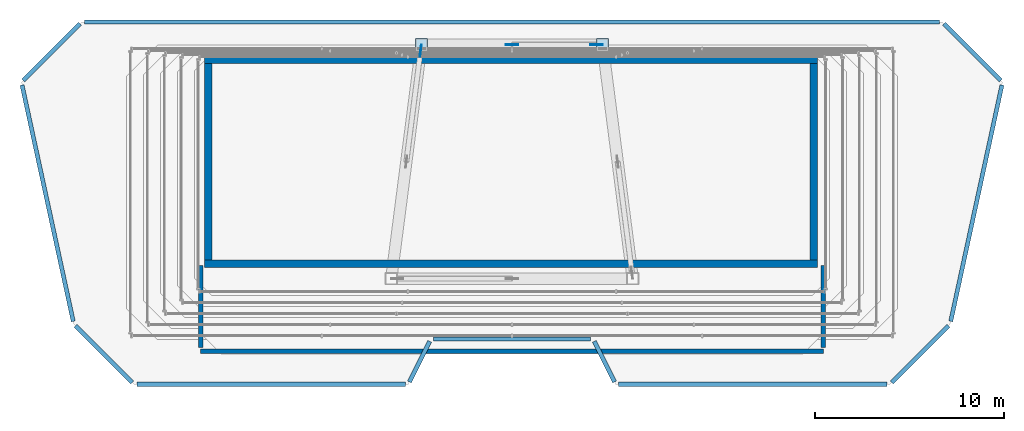
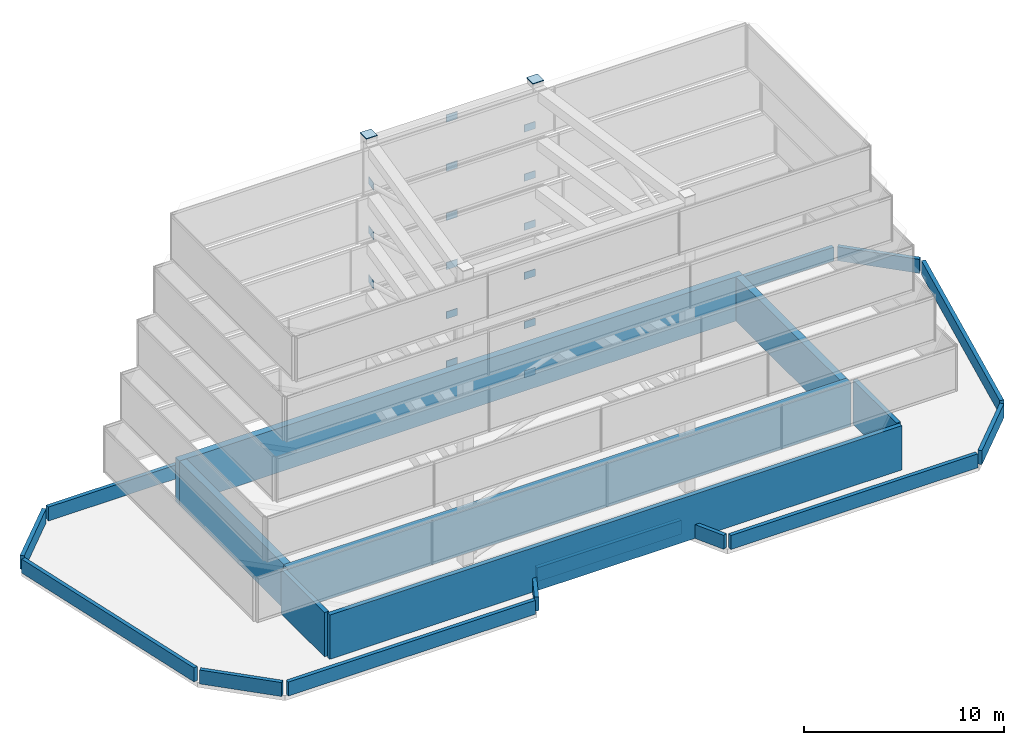
# One storey, part 28 of 29: 19 walls, 17 plates.
"""IFC4 building model written with IfcOpenShell, lengths in metres."""

import ifcopenshell
import ifcopenshell.guid

model = None  # the IFC model being written
_history = None  # IfcOwnerHistory: only IFC2X3 demands one
_inside = {}  # id of a spatial element -> (the spatial element, [elements in it])
_under = {}  # id of a project, library or spatial element -> (it, [spatial elements below it])
_declared = {}  # id of a project -> (the project, [libraries it declares])
_typed = {}  # id of a type object -> (the type object, [elements of that type])
_made_of = {}  # id of a material, layer set ... -> (it, [elements and type objects made of it])


def new_model(schema):
    """Start an empty IFC model of exactly this schema.

    Asked for "IFC4X3", IfcOpenShell would pick the latest addendum, in which some entities
    have other attributes; the version numbers below select the first issue.
    IFC2X3 requires an IfcOwnerHistory on every rooted entity: one is made here for all.
    """
    global model, _history
    if schema == "IFC4X3":
        model = ifcopenshell.file(schema_version=(4, 3, 0, 0))
    else:
        model = ifcopenshell.file(schema=schema)
    _inside.clear()
    _under.clear()
    _declared.clear()
    _typed.clear()
    _made_of.clear()
    _history = None
    if model.schema == "IFC2X3":
        org = make("IfcOrganization", Name="unknown")
        user = make(
            "IfcPersonAndOrganization",
            ThePerson=make("IfcPerson", FamilyName="unknown"),
            TheOrganization=org,
        )
        app = make(
            "IfcApplication",
            ApplicationDeveloper=org,
            Version="unknown",
            ApplicationFullName="unknown",
            ApplicationIdentifier="unknown",
        )
        _history = make(
            "IfcOwnerHistory",
            OwningUser=user,
            OwningApplication=app,
            ChangeAction="ADDED",
            CreationDate=0,
        )
    return model


def make(cls, **values):
    """One entity of the class cls with the attributes given. An attribute that is None is left unset."""
    return model.create_entity(
        cls, **{name: value for name, value in values.items() if value is not None}
    )


def rooted(cls, **values):
    """An entity with a GlobalId (a new one), such as an element, a storey or a relation."""
    return make(cls, GlobalId=ifcopenshell.guid.new(), OwnerHistory=_history, **values)


def si_unit(unit_type, name, prefix=None):
    """IfcSIUnit, for example si_unit("LENGTHUNIT", "METRE", prefix="MILLI")."""
    return make("IfcSIUnit", UnitType=unit_type, Prefix=prefix, Name=name)


def assignment(units):
    """IfcUnitAssignment: the units of a project."""
    return None if units is None else make("IfcUnitAssignment", Units=units)


def point(xyz):
    """IfcCartesianPoint."""
    return None if xyz is None else make("IfcCartesianPoint", Coordinates=xyz)


def direction(xyz):
    """IfcDirection."""
    return None if xyz is None else make("IfcDirection", DirectionRatios=xyz)


def frame(location, z_axis=None, x_axis=None):
    """IfcAxis2Placement3D, a coordinate frame: its origin and axes. An axis left out is left unset."""
    return make(
        "IfcAxis2Placement3D",
        Location=point(location),
        Axis=direction(z_axis),
        RefDirection=direction(x_axis),
    )


def frame_2d(location, x_axis=None):
    """IfcAxis2Placement2D, a coordinate frame in the plane: its origin and x axis."""
    return make(
        "IfcAxis2Placement2D", Location=point(location), RefDirection=direction(x_axis)
    )


def origin():
    """The frame at (0, 0, 0) with its axes left unset."""
    return frame((0.0, 0.0, 0.0))


def origin_2d():
    """The frame at (0, 0) in the plane with its x axis left unset."""
    return frame_2d((0.0, 0.0))


def place(relative_to, where):
    """IfcLocalPlacement: puts the frame where relative to a parent placement (None: the world)."""
    return make(
        "IfcLocalPlacement", PlacementRelTo=relative_to, RelativePlacement=where
    )


def context(
    kind, dimensions, precision=None, world=None, true_north=None, identifier=None
):
    """IfcGeometricRepresentationContext, for example the 3D "Model" context."""
    return make(
        "IfcGeometricRepresentationContext",
        ContextIdentifier=identifier,
        ContextType=kind,
        CoordinateSpaceDimension=dimensions,
        Precision=precision,
        WorldCoordinateSystem=world,
        TrueNorth=true_north,
    )


def subcontext(parent, identifier, kind, view, scale=None):
    """IfcGeometricRepresentationSubContext, for example "Body" below "Model"."""
    return make(
        "IfcGeometricRepresentationSubContext",
        ContextIdentifier=identifier,
        ContextType=kind,
        ParentContext=parent,
        TargetScale=scale,
        TargetView=view,
    )


def project(units=None, contexts=None):
    """IfcProject with its units and contexts."""
    return rooted(
        "IfcProject",
        Name="project",
        RepresentationContexts=contexts,
        UnitsInContext=assignment(units),
    )


def spatial(cls, under=None, at=None, **own):
    """A site, building, storey or space (cls), placed at a placement, below another one or the project."""
    s = rooted(cls, ObjectPlacement=at, **own)
    if under is not None:
        _under.setdefault(under.id(), (under, []))[1].append(s)
    return s


def profile(cls, at=None, kind="AREA", **sizes):
    """A parametric profile (cls). Its sizes go by their IFC names, for example OverallWidth=200.0."""
    return make(cls, ProfileType=kind, Position=at, **sizes)


def rectangle(**sizes):
    """IfcRectangleProfileDef."""
    return profile("IfcRectangleProfileDef", **sizes)


def extrude(swept, where, along, depth):
    """IfcExtrudedAreaSolid: the profile swept, set in the frame where, extruded along a direction by depth."""
    return make(
        "IfcExtrudedAreaSolid",
        SweptArea=swept,
        Position=where,
        ExtrudedDirection=direction(along),
        Depth=depth,
    )


def shape(context_of_items, identifier, shape_type, items):
    """IfcShapeRepresentation: the items that make up one representation, for example the "Body"."""
    return make(
        "IfcShapeRepresentation",
        ContextOfItems=context_of_items,
        RepresentationIdentifier=identifier,
        RepresentationType=shape_type,
        Items=items,
    )


def material(Name=None, Category=None):
    """IfcMaterial."""
    return make("IfcMaterial", Name=Name, Category=Category)


def layer(
    of_material, thickness, ventilated=None, Name=None, Category=None, Priority=None
):
    """IfcMaterialLayer: one layer of a wall or slab, of a material (None: an air gap)."""
    return make(
        "IfcMaterialLayer",
        Material=of_material,
        LayerThickness=thickness,
        IsVentilated=ventilated,
        Name=Name,
        Category=Category,
        Priority=Priority,
    )


def layer_set(layers, Name=None):
    """IfcMaterialLayerSet."""
    return make("IfcMaterialLayerSet", MaterialLayers=layers, LayerSetName=Name)


def made_of(thing, what):
    """Note that an element or type object is made of a material, layer set ...; save() writes the relation."""
    if what is not None:
        _made_of.setdefault(what.id(), (what, []))[1].append(thing)
    return thing


def type_object(cls, material=None, **own):
    """A type object (cls), such as IfcWallType, which elements share."""
    return made_of(rooted(cls, **own), material)


def element(
    cls,
    number,
    at=None,
    inside=None,
    cuts=None,
    type_object=None,
    material=None,
    context=None,
    identifier="Body",
    shape_type=None,
    held_by="IfcProductDefinitionShape",
    body=None,
    shapes=None,
    **own,
):
    """One element of the class cls, such as IfcWall. Its Tag is "e" and its number.

    at: its placement. inside: the storey or other place that contains it. cuts: it is an
    opening in that element (IfcRelVoidsElement). A single representation is given by context,
    identifier, shape_type and body (its items); several are given by shapes. held_by: the class
    of the entity that holds the representations. save() writes the other relations.
    """
    e = rooted(cls, Tag="e%d" % number, ObjectPlacement=at, **own)
    if body is not None:
        shapes = [shape(context, identifier, shape_type, body)]
    if shapes is not None:
        e.Representation = make(held_by, Representations=shapes)
    if inside is not None:
        _inside.setdefault(inside.id(), (inside, []))[1].append(e)
    if cuts is not None:
        rooted(
            "IfcRelVoidsElement", RelatingBuildingElement=cuts, RelatedOpeningElement=e
        )
    if type_object is not None:
        _typed.setdefault(type_object.id(), (type_object, []))[1].append(e)
    return made_of(e, material)


def aggregate(whole, parts):
    """IfcRelAggregates: a whole, such as a stair, and the parts it consists of."""
    return rooted("IfcRelAggregates", RelatingObject=whole, RelatedObjects=parts)


def save(model, path):
    """Write the relations noted so far, then the file.

    IfcRelAggregates (storeys below a building ...), IfcRelContainedInSpatialStructure (elements
    in a storey), IfcRelDefinesByType, IfcRelAssociatesMaterial and IfcRelDeclares: one each for
    every whole, place, type object, material and project.
    """
    for whole, parts in _under.values():
        aggregate(whole, parts)
    for where, things in _inside.values():
        rooted(
            "IfcRelContainedInSpatialStructure",
            RelatedElements=things,
            RelatingStructure=where,
        )
    for kind, things in _typed.values():
        rooted("IfcRelDefinesByType", RelatedObjects=things, RelatingType=kind)
    for what, things in _made_of.values():
        rooted("IfcRelAssociatesMaterial", RelatedObjects=things, RelatingMaterial=what)
    for by, libraries in _declared.values():
        rooted("IfcRelDeclares", RelatingContext=by, RelatedDefinitions=libraries)
    model.write(path)


model = new_model("IFC4")

# Units and contexts
model_context = context("Model", 3, precision=1e-05, world=origin(), true_north=direction((0.0, 1.0)))
body_context = subcontext(model_context, "Body", "Model", "MODEL_VIEW")
ifc_project = project(units=[si_unit("LENGTHUNIT", "METRE"), si_unit("AREAUNIT", "SQUARE_METRE"), si_unit("VOLUMEUNIT", "CUBIC_METRE"), si_unit("PLANEANGLEUNIT", "RADIAN"), si_unit("MASSUNIT", "GRAM", prefix="KILO")], contexts=[model_context])

# Site, building, storey
site_placement = place(None, origin())
site = spatial("IfcSite", under=ifc_project, at=site_placement, CompositionType="ELEMENT")
building_placement = place(site_placement, origin())
building = spatial("IfcBuilding", under=site, at=building_placement, Name="Saevonmaru Cultural Tower", CompositionType="ELEMENT")
storey_placement = place(building_placement, frame((0.0, 0.0, 327.60009765625)))
storey = spatial("IfcBuildingStorey", under=building, at=storey_placement, Name="RF", CompositionType="ELEMENT", Elevation=327.60009765625)

# Plates
ifc_material_1 = material(Name="Steel HSA600 (600 MPa)", Category="steel")
ifc_layer_1 = layer(ifc_material_1, 0.0400390625, Name="Steel HSA600 (600 MPa)")
ifc_layer_set_1 = layer_set([ifc_layer_1], Name="Steel HSA600 (600 MPa)")
plate_type_1 = type_object("IfcPlateType", Name="PL-CAP-CROWN-600", PredefinedType="USERDEFINED", material=ifc_layer_set_1)
for number, where, z_axis, x_axis, name in (
    (1, (34.800048828125, 54.800048828125, 17.994873046875), (0.0, 0.0, 1.0), (1.0, 0.0, 0.0), "RF Crown Frame Cap Plate T6-3"),
    (2, (25.199951171875, 54.800048828125, 17.994873046875), (0.0, 0.0, 1.0), (1.0, 0.0, 0.0), "RF Crown Frame Cap Plate T6-4"),
):
    element("IfcPlate", number, at=place(storey_placement, frame(where, z_axis=z_axis, x_axis=x_axis)), inside=storey, type_object=plate_type_1, Name=name, ObjectType="CAP_PLATE", PredefinedType="USERDEFINED", context=body_context, shape_type="SweptSolid", body=[
        extrude(rectangle(XDim=0.639892578125, YDim=0.639892578125, at=origin_2d()), origin(), (0.0, 0.0, 1.0), 0.0400390625),
    ])
ifc_layer_2 = layer(ifc_material_1, 0.0400390625, Name="Steel HSA600 (600 MPa)")
ifc_layer_set_2 = layer_set([ifc_layer_2], Name="Steel HSA600 (600 MPa)")
plate_type_2 = type_object("IfcPlateType", Name="PL-GUSSET-EXT", PredefinedType="USERDEFINED", material=ifc_layer_set_2)
for number, where, z_axis, x_axis, name in (
    (3, (34.47998046875, 54.800048828125, 0.0), (0.0, 0.0, 1.0), (-1.0, 0.0, 0.0), "RF Crown Frame Gusset Plate T1-3-B"),
    (4, (30.0, 54.800048828125, 2.179931640625), (0.0, 0.0, 1.0), (-1.0, 0.0, 0.0), "RF Crown Frame Gusset Plate T1-3-T"),
    (5, (34.47998046875, 54.800048828125, 3.0), (0.0, 0.0, 1.0), (-1.0, 0.0, 0.0), "RF Crown Frame Gusset Plate T2-3-B"),
    (6, (30.0, 54.800048828125, 5.179931640625), (0.0, 0.0, 1.0), (-1.0, 0.0, 0.0), "RF Crown Frame Gusset Plate T2-3-T"),
    (7, (34.47998046875, 54.800048828125, 6.0), (0.0, 0.0, 1.0), (-1.0, 0.0, 0.0), "RF Crown Frame Gusset Plate T3-3-B"),
    (8, (30.0, 54.800048828125, 8.179931640625), (0.0, 0.0, 1.0), (-1.0, 0.0, 0.0), "RF Crown Frame Gusset Plate T3-3-T"),
    (9, (34.47998046875, 54.800048828125, 9.0), (0.0, 0.0, 1.0), (-1.0, 0.0, 0.0), "RF Crown Frame Gusset Plate T4-3-B"),
    (10, (30.0, 54.800048828125, 11.179931640625), (0.0, 0.0, 1.0), (-1.0, 0.0, 0.0), "RF Crown Frame Gusset Plate T4-3-T"),
    (11, (25.158935546875, 54.48291015625, 9.0), (0.0, 0.0, 1.0), (-0.127964770988, -0.991778713921, 0.0), "RF Crown Frame Gusset Plate T4-4-B"),
    (12, (34.47998046875, 54.800048828125, 12.0), (0.0, 0.0, 1.0), (-1.0, 0.0, 0.0), "RF Crown Frame Gusset Plate T5-3-B"),
    (13, (30.0, 54.800048828125, 14.179931640625), (0.0, 0.0, 1.0), (-1.0, 0.0, 0.0), "RF Crown Frame Gusset Plate T5-3-T"),
    (14, (25.158935546875, 54.48291015625, 12.0), (0.0, 0.0, 1.0), (-0.127964770988, -0.991778713921, 0.0), "RF Crown Frame Gusset Plate T5-4-B"),
    (15, (34.47998046875, 54.800048828125, 15.0), (0.0, 0.0, 1.0), (-1.0, 0.0, 0.0), "RF Crown Frame Gusset Plate T6-3-B"),
    (16, (30.0, 54.800048828125, 17.179931640625), (0.0, 0.0, 1.0), (-1.0, 0.0, 0.0), "RF Crown Frame Gusset Plate T6-3-T"),
    (17, (25.158935546875, 54.48291015625, 15.0), (0.0, 0.0, 1.0), (-0.127964770988, -0.991778713921, 0.0), "RF Crown Frame Gusset Plate T6-4-B"),
):
    element("IfcPlate", number, at=place(storey_placement, frame(where, z_axis=z_axis, x_axis=x_axis)), inside=storey, type_object=plate_type_2, Name=name, ObjectType="GUSSET_PLATE", PredefinedType="USERDEFINED", context=body_context, shape_type="SweptSolid", body=[
        extrude(rectangle(XDim=0.639892578125, YDim=0.0400390625, at=origin_2d()), origin(), (0.0, 0.0, 1.0), 0.43994140625),
    ])

# Walls
ifc_material_2 = material(Name="Concrete C50/60", Category="concrete")
ifc_layer_3 = layer(ifc_material_2, 0.39990234375, Name="Concrete C50/60")
ifc_layer_set_3 = layer_set([ifc_layer_3], Name="Concrete C50/60")
wall_type_1 = type_object("IfcWallType", Name="WL-CORE-RF-400", PredefinedType="SHEAR", material=ifc_layer_set_3)
for number, where, z_axis, x_axis, name in (
    (18, (13.699951171875, 43.199951171875, 0.0), (0.0, 0.0, 1.0), (1.0, 0.0, 0.0), "RF Tower RC core shear wall S"),
    (19, (13.699951171875, 54.0, 0.0), (0.0, 0.0, 1.0), (1.0, 0.0, 0.0), "RF Tower RC core shear wall N"),
):
    element("IfcWall", number, at=place(storey_placement, frame(where, z_axis=z_axis, x_axis=x_axis)), inside=storey, type_object=wall_type_1, Name=name, PredefinedType="SHEAR", context=body_context, shape_type="SweptSolid", body=[
        extrude(rectangle(XDim=32.5, YDim=0.39990234375, at=frame_2d((16.25, 0.0))), origin(), (0.0, 0.0, 1.0), 2.699951171875),
    ])
for number, where, z_axis, x_axis, name in (
    (20, (13.89990234375, 43.39990234375, 0.0), (0.0, 0.0, 1.0), (0.0, 1.0, 0.0), "RF Tower RC core shear wall W"),
    (21, (46.0, 43.39990234375, 0.0), (0.0, 0.0, 1.0), (0.0, 1.0, 0.0), "RF Tower RC core shear wall E"),
):
    element("IfcWall", number, at=place(storey_placement, frame(where, z_axis=z_axis, x_axis=x_axis)), inside=storey, type_object=wall_type_1, Name=name, PredefinedType="SHEAR", context=body_context, shape_type="SweptSolid", body=[
        extrude(rectangle(XDim=10.400146484375, YDim=0.39990234375, at=frame_2d((5.2001953125, 0.0))), origin(), (0.0, 0.0, 1.0), 2.699951171875),
    ])
ifc_material_3 = material(Name="Concrete C40/50", Category="concrete")
ifc_layer_4 = layer(ifc_material_3, 0.25, Name="Concrete C40/50")
ifc_layer_set_4 = layer_set([ifc_layer_4], Name="Concrete C40/50")
wall_type_2 = type_object("IfcWallType", Name="WL-EXT-CROWN-250", PredefinedType="STANDARD", material=ifc_layer_set_4)
wall_1_placement = place(storey_placement, frame((13.5, 38.550048828125, 0.0), z_axis=(0.0, 0.0, 1.0), x_axis=(1.0, 0.0, 0.0)))
element("IfcWall", 22, at=wall_1_placement, inside=storey, type_object=wall_type_2, Name="RF Stepped Crown Mechanical Enclosure Wall 1", PredefinedType="STANDARD", context=body_context, shape_type="SweptSolid", body=[
    extrude(rectangle(XDim=33.0, YDim=0.25, at=frame_2d((16.5, 0.0))), origin(), (0.0, 0.0, 1.0), 2.699951171875),
])
for number, where, z_axis, x_axis, name in (
    (23, (46.5, 38.75, 0.0), (0.0, 0.0, 1.0), (0.0, 1.0, 0.0), "RF Stepped Crown Mechanical Enclosure Wall 2"),
    (24, (13.5, 43.10009765625, 0.0), (0.0, 0.0, 1.0), (0.0, -1.0, 0.0), "RF Stepped Crown Mechanical Enclosure Wall 3"),
):
    element("IfcWall", number, at=place(storey_placement, frame(where, z_axis=z_axis, x_axis=x_axis)), inside=storey, type_object=wall_type_2, Name=name, PredefinedType="STANDARD", context=body_context, shape_type="SweptSolid", body=[
        extrude(rectangle(XDim=4.35009765625, YDim=0.25, at=frame_2d((2.175048828125, 0.0))), origin(), (0.0, 0.0, 1.0), 2.699951171875),
    ])
ifc_material_4 = material(Name="Precast concrete C40/50", Category="concrete")
ifc_layer_5 = layer(ifc_material_4, 0.219970703125, Name="Precast concrete C40/50")
ifc_layer_set_5 = layer_set([ifc_layer_5], Name="Precast concrete C40/50")
wall_type_3 = type_object("IfcWallType", Name="WL-PARAPET-220", PredefinedType="PARAPET", material=ifc_layer_set_5)
wall_2_placement = place(storey_placement, frame((6.872314453125, 39.90087890625, 0.0), z_axis=(0.0, 0.0, 1.0), x_axis=(0.707106781187, -0.707106781187, 0.0)))
element("IfcWall", 25, at=wall_2_placement, inside=storey, type_object=wall_type_3, Name="RF Maintenance Roof Parapet Curb 1", PredefinedType="PARAPET", context=body_context, shape_type="SweptSolid", body=[
    extrude(rectangle(XDim=4.245361328125, YDim=0.219970703125, at=frame_2d((2.12255859375, 0.0))), origin(), (0.0, 0.0, 1.0), 0.849853515625),
])
wall_3_placement = place(storey_placement, frame((10.11328125, 36.800048828125, 0.0), z_axis=(0.0, 0.0, 1.0), x_axis=(1.0, 0.0, 0.0)))
element("IfcWall", 26, at=wall_3_placement, inside=storey, type_object=wall_type_3, Name="RF Maintenance Roof Parapet Curb 2", PredefinedType="PARAPET", context=body_context, shape_type="SweptSolid", body=[
    extrude(rectangle(XDim=14.246826171875, YDim=0.219970703125, at=frame_2d((7.12353515625, 0.0))), origin(), (0.0, 0.0, 1.0), 0.849853515625),
])
wall_4_placement = place(storey_placement, frame((24.5625, 36.92529296875, 0.0), z_axis=(0.0, 0.0, 1.0), x_axis=(0.447294864581, 0.894386551844, 0.0)))
element("IfcWall", 27, at=wall_4_placement, inside=storey, type_object=wall_type_3, Name="RF Maintenance Roof Parapet Curb 3", PredefinedType="PARAPET", context=body_context, shape_type="SweptSolid", body=[
    extrude(rectangle(XDim=2.4033203125, YDim=0.219970703125, at=frame_2d((1.20166015625, 0.0))), origin(), (0.0, 0.0, 1.0), 0.849853515625),
])
wall_5_placement = place(storey_placement, frame((25.840087890625, 39.199951171875, 0.0), z_axis=(0.0, 0.0, 1.0), x_axis=(1.0, 0.0, 0.0)))
element("IfcWall", 28, at=wall_5_placement, inside=storey, type_object=wall_type_3, Name="RF Maintenance Roof Parapet Curb 4", PredefinedType="PARAPET", context=body_context, shape_type="SweptSolid", body=[
    extrude(rectangle(XDim=8.31982421875, YDim=0.219970703125, at=frame_2d((4.159912109375, 0.0))), origin(), (0.0, 0.0, 1.0), 0.849853515625),
])
wall_6_placement = place(storey_placement, frame((34.362548828125, 39.07470703125, 0.0), z_axis=(0.0, 0.0, 1.0), x_axis=(0.447294864581, -0.894386551844, 0.0)))
element("IfcWall", 29, at=wall_6_placement, inside=storey, type_object=wall_type_3, Name="RF Maintenance Roof Parapet Curb 5", PredefinedType="PARAPET", context=body_context, shape_type="SweptSolid", body=[
    extrude(rectangle(XDim=2.4033203125, YDim=0.219970703125, at=frame_2d((1.20166015625, 0.0))), origin(), (0.0, 0.0, 1.0), 0.849853515625),
])
wall_7_placement = place(storey_placement, frame((35.639892578125, 36.800048828125, 0.0), z_axis=(0.0, 0.0, 1.0), x_axis=(1.0, 0.0, 0.0)))
element("IfcWall", 30, at=wall_7_placement, inside=storey, type_object=wall_type_3, Name="RF Maintenance Roof Parapet Curb 6", PredefinedType="PARAPET", context=body_context, shape_type="SweptSolid", body=[
    extrude(rectangle(XDim=14.246826171875, YDim=0.219970703125, at=frame_2d((7.12353515625, 0.0))), origin(), (0.0, 0.0, 1.0), 0.849853515625),
])
wall_8_placement = place(storey_placement, frame((50.125732421875, 36.89892578125, 0.0), z_axis=(0.0, 0.0, 1.0), x_axis=(0.707106781187, 0.707106781187, 0.0)))
element("IfcWall", 31, at=wall_8_placement, inside=storey, type_object=wall_type_3, Name="RF Maintenance Roof Parapet Curb 7", PredefinedType="PARAPET", context=body_context, shape_type="SweptSolid", body=[
    extrude(rectangle(XDim=4.245361328125, YDim=0.219970703125, at=frame_2d((2.12255859375, 0.0))), origin(), (0.0, 0.0, 1.0), 0.849853515625),
])
wall_9_placement = place(storey_placement, frame((53.25634765625, 40.13671875, 0.0), z_axis=(0.0, 0.0, 1.0), x_axis=(0.211758198745, 0.977322088804, 0.0)))
element("IfcWall", 32, at=wall_9_placement, inside=storey, type_object=wall_type_3, Name="RF Maintenance Roof Parapet Curb 8", PredefinedType="PARAPET", context=body_context, shape_type="SweptSolid", body=[
    extrude(rectangle(XDim=12.817138671875, YDim=0.219970703125, at=frame_2d((6.40869140625, 0.0))), origin(), (0.0, 0.0, 1.0), 0.849853515625),
])
wall_10_placement = place(storey_placement, frame((55.90087890625, 52.89892578125, 0.0), z_axis=(0.0, 0.0, 1.0), x_axis=(-0.707106781187, 0.707106781187, 0.0)))
element("IfcWall", 33, at=wall_10_placement, inside=storey, type_object=wall_type_3, Name="RF Maintenance Roof Parapet Curb 9", PredefinedType="PARAPET", context=body_context, shape_type="SweptSolid", body=[
    extrude(rectangle(XDim=4.245361328125, YDim=0.219970703125, at=frame_2d((2.12255859375, 0.0))), origin(), (0.0, 0.0, 1.0), 0.849853515625),
])
wall_11_placement = place(storey_placement, frame((52.659912109375, 56.0, 0.0), z_axis=(0.0, 0.0, 1.0), x_axis=(-1.0, 0.0, 0.0)))
element("IfcWall", 34, at=wall_11_placement, inside=storey, type_object=wall_type_3, Name="RF Maintenance Roof Parapet Curb 10", PredefinedType="PARAPET", context=body_context, shape_type="SweptSolid", body=[
    extrude(rectangle(XDim=45.31982421875, YDim=0.219970703125, at=frame_2d((22.659912109375, 0.0))), origin(), (0.0, 0.0, 1.0), 0.849853515625),
])
wall_12_placement = place(storey_placement, frame((7.10107421875, 55.90087890625, 0.0), z_axis=(0.0, 0.0, 1.0), x_axis=(-0.707106781187, -0.707106781187, 0.0)))
element("IfcWall", 35, at=wall_12_placement, inside=storey, type_object=wall_type_3, Name="RF Maintenance Roof Parapet Curb 11", PredefinedType="PARAPET", context=body_context, shape_type="SweptSolid", body=[
    extrude(rectangle(XDim=4.245361328125, YDim=0.219970703125, at=frame_2d((2.12255859375, 0.0))), origin(), (0.0, 0.0, 1.0), 0.849853515625),
])
wall_13_placement = place(storey_placement, frame((4.029541015625, 52.6630859375, 0.0), z_axis=(0.0, 0.0, 1.0), x_axis=(0.211758198745, -0.977322088804, 0.0)))
element("IfcWall", 36, at=wall_13_placement, inside=storey, type_object=wall_type_3, Name="RF Maintenance Roof Parapet Curb 12", PredefinedType="PARAPET", context=body_context, shape_type="SweptSolid", body=[
    extrude(rectangle(XDim=12.817138671875, YDim=0.219970703125, at=frame_2d((6.40869140625, 0.0))), origin(), (0.0, 0.0, 1.0), 0.849853515625),
])

save(model, "model.ifc")
